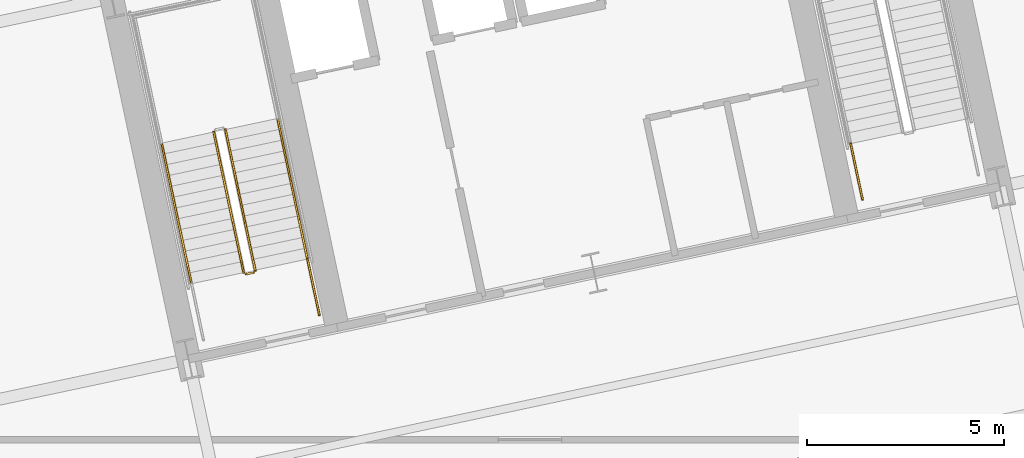
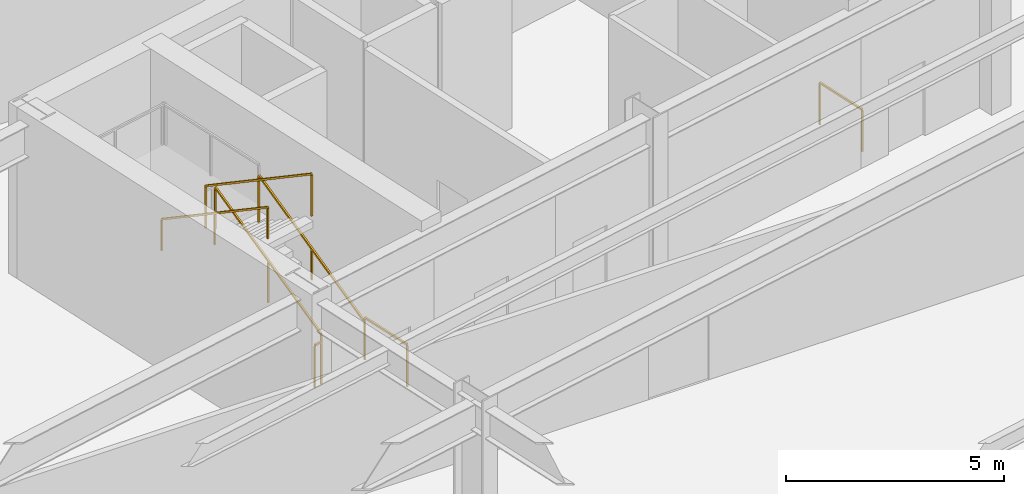
# One storey, part 23 of 25: 7 railings.
"""IFC4 building model written with IfcOpenShell, lengths in metres."""

from ifc_helpers import new_model, si_unit, direction, frame, origin, origin_2d, place, context, subcontext, project, spatial, rectangle, extrude, material, type_object, element, save


model = new_model("IFC4")

# Units and contexts
model_context = context("Model", 3, precision=1e-05, world=origin(), true_north=direction((0.0, 1.0)))
body_context = subcontext(model_context, "Body", "Model", "MODEL_VIEW")
ifc_project = project(units=[si_unit("LENGTHUNIT", "METRE"), si_unit("AREAUNIT", "SQUARE_METRE"), si_unit("VOLUMEUNIT", "CUBIC_METRE"), si_unit("PLANEANGLEUNIT", "RADIAN"), si_unit("MASSUNIT", "GRAM", prefix="KILO")], contexts=[model_context])

# Site, building, storey
site_placement = place(None, origin())
site = spatial("IfcSite", under=ifc_project, at=site_placement, CompositionType="ELEMENT")
building_placement = place(site_placement, origin())
building = spatial("IfcBuilding", under=site, at=building_placement, Name="Haevon Station Towers", CompositionType="ELEMENT")
storey_placement = place(building_placement, frame((0.0, 0.0, 6.0)))
storey = spatial("IfcBuildingStorey", under=building, at=storey_placement, Name="L01", CompositionType="ELEMENT", Elevation=6.0)

# Railings
ifc_material = material(Name="Steel S355", Category="steel")
railing_type_1 = type_object("IfcRailingType", Name="GRD-STR1200", PredefinedType="GUARDRAIL", material=ifc_material)
railing_1_placement = place(storey_placement, frame((100.44140625, 39.69287109375, 0.17138671875)))
element("IfcRailing", 1, at=railing_1_placement, inside=storey, type_object=railing_type_1, Name="L01 ST3 Stair Guard 1", PredefinedType="GUARDRAIL", context=body_context, shape_type="SweptSolid", body=[
    extrude(rectangle(XDim=0.048095703125, YDim=0.048095703125, at=origin_2d()), frame((0.0, 0.0, 1.17578125), z_axis=(-0.17733280689, 0.834207846092, 0.522159310096), x_axis=(-0.978143676638, -0.20793015138, 0.0)), (0.0, 0.0, 1.0), 4.267822265625),
    extrude(rectangle(XDim=0.0419921875, YDim=0.0419921875, at=origin_2d()), origin(), (0.0, 0.0, 1.0), 1.15185546875),
    extrude(rectangle(XDim=0.0419921875, YDim=0.0419921875, at=origin_2d()), frame((-0.37841796875, 1.7802734375, 1.1142578125)), (0.0, 0.0, 1.0), 1.15185546875),
    extrude(rectangle(XDim=0.0419921875, YDim=0.0419921875, at=origin_2d()), frame((-0.7568359375, 3.560302734375, 2.228515625)), (0.0, 0.0, 1.0), 1.15185546875),
])
railing_2_placement = place(storey_placement, frame((99.39111328125, 43.19091796875, 2.571533203125)))
element("IfcRailing", 2, at=railing_2_placement, inside=storey, type_object=railing_type_1, Name="L01 ST3 Stair Guard 6", PredefinedType="GUARDRAIL", context=body_context, shape_type="SweptSolid", body=[
    extrude(rectangle(XDim=0.048095703125, YDim=0.048095703125, at=origin_2d()), frame((0.0, 0.0, 1.17578125), z_axis=(0.177324344861, -0.834225240467, 0.522134393512), x_axis=(0.978146576304, 0.207916510322, 0.0)), (0.0, 0.0, 1.0), 4.26806640625),
    extrude(rectangle(XDim=0.0419921875, YDim=0.0419921875, at=origin_2d()), origin(), (0.0, 0.0, 1.0), 1.15185546875),
    extrude(rectangle(XDim=0.0419921875, YDim=0.0419921875, at=origin_2d()), frame((0.37841796875, -1.7802734375, 1.1142578125)), (0.0, 0.0, 1.0), 1.15185546875),
    extrude(rectangle(XDim=0.0419921875, YDim=0.0419921875, at=origin_2d()), frame((0.7568359375, -3.560546875, 2.228515625)), (0.0, 0.0, 1.0), 1.15185546875),
])
railing_3_placement = place(storey_placement, frame((100.40283203125, 39.633544921875, 0.0)))
element("IfcRailing", 3, at=railing_3_placement, inside=storey, type_object=railing_type_1, Name="L01 ST3 Stair Guard 7", PredefinedType="GUARDRAIL", context=body_context, shape_type="SweptSolid", body=[
    extrude(rectangle(XDim=0.048095703125, YDim=0.048095703125, at=origin_2d()), frame((0.0, 0.0, 1.17578125), z_axis=(-0.977962931203, -0.208778603291, 0.0), x_axis=(0.208778603291, -0.977962931203, 0.0)), (0.0, 0.0, 1.0), 0.199951171875),
    extrude(rectangle(XDim=0.0419921875, YDim=0.0419921875, at=origin_2d()), origin(), (0.0, 0.0, 1.0), 1.15185546875),
    extrude(rectangle(XDim=0.0419921875, YDim=0.0419921875, at=origin_2d()), frame((-0.195556640625, -0.041748046875, 0.0)), (0.0, 0.0, 1.0), 1.15185546875),
])
railing_4_placement = place(storey_placement, frame((102.0634765625, 38.55517578125, 0.0)))
element("IfcRailing", 4, at=railing_4_placement, inside=storey, type_object=railing_type_1, Name="L01 ST3 Stair Guard 8", PredefinedType="GUARDRAIL", context=body_context, shape_type="SweptSolid", body=[
    extrude(rectangle(XDim=0.048095703125, YDim=0.048095703125, at=origin_2d()), frame((0.0, 0.0, 1.17578125), z_axis=(-0.207953405961, 0.978138732977, 0.0), x_axis=(-0.978138732977, -0.207953405961, 0.0)), (0.0, 0.0, 1.0), 1.449951171875),
    extrude(rectangle(XDim=0.0419921875, YDim=0.0419921875, at=origin_2d()), origin(), (0.0, 0.0, 1.0), 1.15185546875),
    extrude(rectangle(XDim=0.0419921875, YDim=0.0419921875, at=origin_2d()), frame((-0.301513671875, 1.418212890625, 0.0)), (0.0, 0.0, 1.0), 1.15185546875),
])
railing_5_placement = place(storey_placement, frame((115.816162109375, 41.478271484375, 0.0)))
element("IfcRailing", 5, at=railing_5_placement, inside=storey, type_object=railing_type_1, Name="L01 ST4 Stair Guard 9", PredefinedType="GUARDRAIL", context=body_context, shape_type="SweptSolid", body=[
    extrude(rectangle(XDim=0.048095703125, YDim=0.048095703125, at=origin_2d()), frame((0.0, 0.0, 1.17578125), z_axis=(-0.207919161079, 0.978146012851, 0.0), x_axis=(-0.978146012851, -0.207919161079, 0.0)), (0.0, 0.0, 1.0), 1.4501953125),
    extrude(rectangle(XDim=0.0419921875, YDim=0.0419921875, at=origin_2d()), origin(), (0.0, 0.0, 1.0), 1.15185546875),
    extrude(rectangle(XDim=0.0419921875, YDim=0.0419921875, at=origin_2d()), frame((-0.301513671875, 1.41845703125, 0.0)), (0.0, 0.0, 1.0), 1.15185546875),
])
railing_type_2 = type_object("IfcRailingType", Name="HND-STR900", PredefinedType="HANDRAIL", material=ifc_material)
railing_6_placement = place(storey_placement, frame((101.761962890625, 39.973388671875, 0.17138671875)))
element("IfcRailing", 6, at=railing_6_placement, inside=storey, type_object=railing_type_2, Name="L01 ST3 Stair Handrail 1", PredefinedType="HANDRAIL", context=body_context, shape_type="SweptSolid", body=[
    extrude(rectangle(XDim=0.048095703125, YDim=0.048095703125, at=origin_2d()), frame((0.0, 0.0, 0.8759765625), z_axis=(-0.177324344861, 0.834225240467, 0.522134393512), x_axis=(-0.978146576304, -0.207916510322, 0.0)), (0.0, 0.0, 1.0), 4.26806640625),
    extrude(rectangle(XDim=0.0419921875, YDim=0.0419921875, at=origin_2d()), origin(), (0.0, 0.0, 1.0), 0.851806640625),
    extrude(rectangle(XDim=0.0419921875, YDim=0.0419921875, at=origin_2d()), frame((-0.37841796875, 1.7802734375, 1.1142578125)), (0.0, 0.0, 1.0), 0.851806640625),
    extrude(rectangle(XDim=0.0419921875, YDim=0.0419921875, at=origin_2d()), frame((-0.7568359375, 3.560546875, 2.228515625)), (0.0, 0.0, 1.0), 0.851806640625),
])
railing_7_placement = place(storey_placement, frame((98.070556640625, 42.91015625, 2.571533203125)))
element("IfcRailing", 7, at=railing_7_placement, inside=storey, type_object=railing_type_2, Name="L01 ST3 Stair Handrail 2", PredefinedType="HANDRAIL", context=body_context, shape_type="SweptSolid", body=[
    extrude(rectangle(XDim=0.048095703125, YDim=0.048095703125, at=origin_2d()), frame((0.0, 0.0, 0.8759765625), z_axis=(0.177324344861, -0.834225240467, 0.522134393512), x_axis=(0.978146576304, 0.207916510322, 0.0)), (0.0, 0.0, 1.0), 4.26806640625),
    extrude(rectangle(XDim=0.0419921875, YDim=0.0419921875, at=origin_2d()), origin(), (0.0, 0.0, 1.0), 0.851806640625),
    extrude(rectangle(XDim=0.0419921875, YDim=0.0419921875, at=origin_2d()), frame((0.37841796875, -1.7802734375, 1.1142578125)), (0.0, 0.0, 1.0), 0.851806640625),
    extrude(rectangle(XDim=0.0419921875, YDim=0.0419921875, at=origin_2d()), frame((0.7568359375, -3.560546875, 2.228515625)), (0.0, 0.0, 1.0), 0.851806640625),
])

save(model, "model.ifc")
